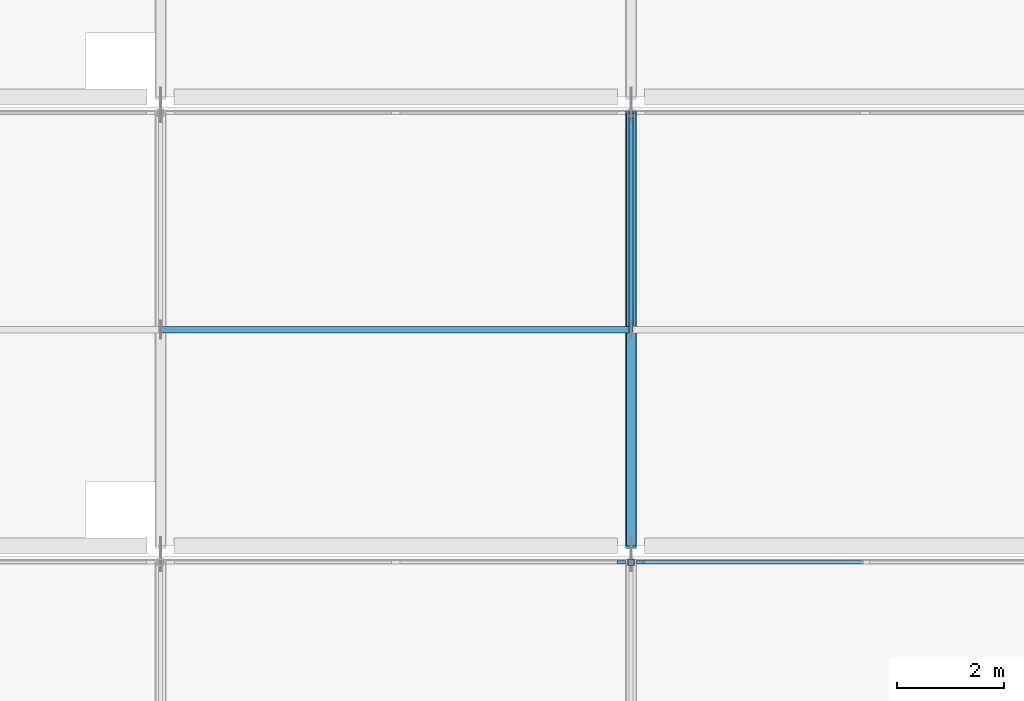
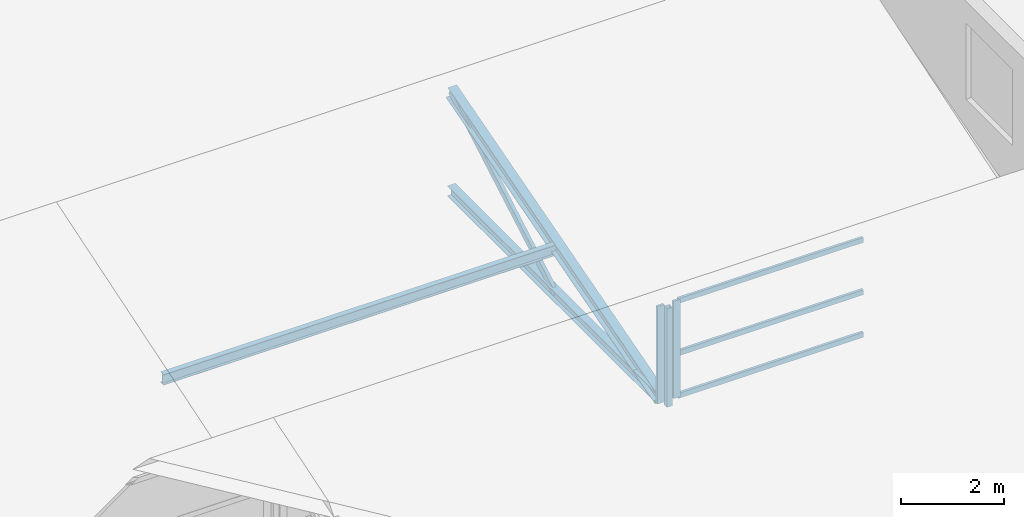
# One storey, part 14 of 40: 10 members, 2 elements without a shape of their own.
"""IFC4 building model written with IfcOpenShell, lengths in metres."""

from ifc_helpers import new_model, si_unit, direction, frame, origin, origin_2d, place, context, subcontext, project, spatial, rectangle, hollow_rectangle, i_section, extrude, material, material_profile, profile_set, type_object, element, aggregate, save


model = new_model("IFC4")

# Units and contexts
model_context = context("Model", 3, precision=1e-05, world=origin(), true_north=direction((0.0, 1.0)))
body_context = subcontext(model_context, "Body", "Model", "MODEL_VIEW")
ifc_project = project(units=[si_unit("LENGTHUNIT", "METRE"), si_unit("AREAUNIT", "SQUARE_METRE"), si_unit("VOLUMEUNIT", "CUBIC_METRE"), si_unit("PLANEANGLEUNIT", "RADIAN"), si_unit("MASSUNIT", "GRAM", prefix="KILO")], contexts=[model_context])

# Site, building, storey
site_placement = place(None, origin())
site = spatial("IfcSite", under=ifc_project, at=site_placement, CompositionType="ELEMENT")
building_placement = place(site_placement, origin())
building = spatial("IfcBuilding", under=site, at=building_placement, Name="Brinegate Botanical Conservatory", CompositionType="ELEMENT")
storey_placement = place(building_placement, frame((0.0, 0.0, 19.199951171875)))
storey = spatial("IfcBuildingStorey", under=building, at=storey_placement, Name="L05", CompositionType="ELEMENT", Elevation=19.199951171875)

# Curtain wall, member
ifc_material_1 = material(Name="Thermally broken anodised aluminium AW-6063-T6", Category="aluminium")
curtain_wall_type = type_object("IfcCurtainWallType", Name="CW_CW-SAW", PredefinedType="USERDEFINED", material=ifc_material_1)
curtain_wall_1_placement = place(storey_placement, origin())
curtain_wall_1 = element("IfcCurtainWall", 1, at=curtain_wall_1_placement, inside=storey, type_object=curtain_wall_type, Name="Sawtooth north-light clerestory B1.7", ObjectType="FACTORY CURTAIN WALL", PredefinedType="USERDEFINED")
ifc_material_profile_1 = material_profile(ifc_material_1, rectangle(XDim=0.06005859375, YDim=0.159912109375, at=origin_2d()), Name="ALUM MULLION 60x160")
ifc_profile_set_1 = profile_set([ifc_material_profile_1], Name="Thermally broken anodised aluminium AW-6063-T6")
member_type_1 = type_object("IfcMemberType", Name="Member_ML-01", PredefinedType="MULLION", material=ifc_profile_set_1)
member_1_placement = place(storey_placement, frame((112.219970703125, 94.89990234375, 0.150146484375), z_axis=(0.0, 0.0, 1.0), x_axis=(0.0, 1.0, 0.0)))
member_1 = element("IfcMember", 2, at=member_1_placement, type_object=member_type_1, Name="CW-SAW mullion 3", PredefinedType="MULLION", context=body_context, shape_type="SweptSolid", body=[
    extrude(rectangle(XDim=0.06005859375, YDim=0.159912109375, at=origin_2d()), origin(), (0.0, 0.0, 1.0), 2.2998046875),
])
aggregate(curtain_wall_1, [member_1])

curtain_wall_2_placement = place(storey_placement, origin())
curtain_wall_2 = element("IfcCurtainWall", 3, at=curtain_wall_2_placement, inside=storey, type_object=curtain_wall_type, Name="Sawtooth north-light clerestory B1.8", ObjectType="FACTORY CURTAIN WALL", PredefinedType="USERDEFINED")
member_2_placement = place(storey_placement, frame((112.580078125, 94.89990234375, 0.150146484375), z_axis=(0.0, 0.0, 1.0), x_axis=(0.0, 1.0, 0.0)))
member_2 = element("IfcMember", 4, at=member_2_placement, type_object=member_type_1, Name="CW-SAW mullion 1", PredefinedType="MULLION", context=body_context, shape_type="SweptSolid", body=[
    extrude(rectangle(XDim=0.06005859375, YDim=0.159912109375, at=origin_2d()), origin(), (0.0, 0.0, 1.0), 2.2998046875),
])

# Members
ifc_material_2 = material(Name="Structural steel Q355B / S355", Category="steel")
ifc_material_profile_2 = material_profile(ifc_material_2, hollow_rectangle(XDim=0.080078125, YDim=0.159912109375, WallThickness=0.006103515625, at=origin_2d()), Name="RHS 160x80x6")
ifc_profile_set_2 = profile_set([ifc_material_profile_2], Name="Structural steel Q355B / S355")
member_type_2 = type_object("IfcMemberType", Name="Member_SB-01", PredefinedType="BRACE", material=ifc_profile_set_2)
member_3_placement = place(storey_placement, frame((112.39990234375, 99.25, 0.02001953125), z_axis=(0.0, 0.866786044896, 0.49868021053), x_axis=(-1.0, 0.0, 0.0)))
element("IfcMember", 5, at=member_3_placement, inside=storey, type_object=member_type_2, Name="Sawtooth web diagonal SB-01 B2.T8", PredefinedType="BRACE", context=body_context, shape_type="SweptSolid", body=[
    extrude(hollow_rectangle(XDim=0.080078125, YDim=0.159912109375, WallThickness=0.006103515625, at=origin_2d()), origin(), (0.0, 0.0, 1.0), 4.672607421875),
])
ifc_material_profile_3 = material_profile(ifc_material_2, i_section(OverallWidth=0.199951171875, OverallDepth=0.2939453125, WebThickness=0.008056640625, FlangeThickness=0.011962890625, at=origin_2d()), Name="HM 294x200x8x12")
ifc_profile_set_3 = profile_set([ifc_material_profile_3], Name="Structural steel Q355B / S355")
member_type_3 = type_object("IfcMemberType", Name="Member_SC-01", PredefinedType="CHORD", material=ifc_profile_set_3)
member_4_placement = place(storey_placement, frame((112.39990234375, 95.199951171875, 0.02001953125), z_axis=(0.0, 0.961028334039, 0.276449889085), x_axis=(-1.0, 0.0, 0.0)))
element("IfcMember", 6, at=member_4_placement, inside=storey, type_object=member_type_3, Name="Sawtooth rafter chord SC-01 B2.T8", PredefinedType="CHORD", context=body_context, shape_type="SweptSolid", body=[
    extrude(i_section(OverallWidth=0.199951171875, OverallDepth=0.2939453125, WebThickness=0.008056640625, FlangeThickness=0.011962890625, at=origin_2d()), origin(), (0.0, 0.0, 1.0), 8.428466796875),
])
ifc_material_profile_4 = material_profile(ifc_material_2, i_section(OverallWidth=0.175048828125, OverallDepth=0.243896484375, WebThickness=0.007080078125, FlangeThickness=0.010986328125, at=origin_2d()), Name="HM 244x175x7x11")
ifc_profile_set_4 = profile_set([ifc_material_profile_4], Name="Structural steel Q355B / S355")
member_type_4 = type_object("IfcMemberType", Name="Member_SC-02", PredefinedType="CHORD", material=ifc_profile_set_4)
member_5_placement = place(storey_placement, frame((112.39990234375, 95.199951171875, 0.02001953125), z_axis=(0.0, 1.0, 0.0), x_axis=(-1.0, 0.0, 0.0)))
element("IfcMember", 7, at=member_5_placement, inside=storey, type_object=member_type_4, Name="Sawtooth bottom tie SC-02 B2.T8", PredefinedType="CHORD", context=body_context, shape_type="SweptSolid", body=[
    extrude(i_section(OverallWidth=0.175048828125, OverallDepth=0.243896484375, WebThickness=0.007080078125, FlangeThickness=0.010986328125, at=origin_2d()), origin(), (0.0, 0.0, 1.0), 8.10009765625),
])
ifc_material_profile_5 = material_profile(ifc_material_2, i_section(OverallWidth=0.125, OverallDepth=0.25, WebThickness=0.006103515625, FlangeThickness=0.009033203125, at=origin_2d()), Name="HN 250x125x6x9")
ifc_profile_set_5 = profile_set([ifc_material_profile_5], Name="Structural steel Q355B / S355")
member_type_5 = type_object("IfcMemberType", Name="Member_SPU-01", PredefinedType="PURLIN", material=ifc_profile_set_5)
member_6_placement = place(storey_placement, frame((103.60009765625, 99.25, 1.094970703125), z_axis=(1.0, 0.0, 0.0), x_axis=(0.0, 1.0, 0.0)))
element("IfcMember", 8, at=member_6_placement, inside=storey, type_object=member_type_5, Name="Sawtooth roof purlin SPU-01 B2.7", PredefinedType="PURLIN", context=body_context, shape_type="SweptSolid", body=[
    extrude(i_section(OverallWidth=0.125, OverallDepth=0.25, WebThickness=0.006103515625, FlangeThickness=0.009033203125, at=origin_2d()), origin(), (0.0, 0.0, 1.0), 8.7998046875),
])
ifc_material_profile_6 = material_profile(ifc_material_2, hollow_rectangle(XDim=0.1201171875, YDim=0.1201171875, WallThickness=0.006103515625, at=origin_2d()), Name="SHS 120x120x6")
ifc_profile_set_6 = profile_set([ifc_material_profile_6], Name="Structural steel Q355B / S355")
member_type_6 = type_object("IfcMemberType", Name="Member_SS-01", PredefinedType="STRUT", material=ifc_profile_set_6)
member_7_placement = place(storey_placement, frame((112.39990234375, 94.89990234375, 0.02001953125), z_axis=(0.0, 0.0, 1.0), x_axis=(1.0, 0.0, 0.0)))
element("IfcMember", 9, at=member_7_placement, inside=storey, type_object=member_type_6, Name="Sawtooth north clerestory post SS-01 B1.T8", PredefinedType="STRUT", context=body_context, shape_type="SweptSolid", body=[
    extrude(hollow_rectangle(XDim=0.1201171875, YDim=0.1201171875, WallThickness=0.006103515625, at=origin_2d()), origin(), (0.0, 0.0, 1.0), 2.330078125),
])

# Member
ifc_material_profile_7 = material_profile(ifc_material_1, rectangle(XDim=0.06005859375, YDim=0.1201171875, at=origin_2d()), Name="ALUM TRANSOM 60x120")
ifc_profile_set_7 = profile_set([ifc_material_profile_7], Name="Thermally broken anodised aluminium AW-6063-T6")
member_type_7 = type_object("IfcMemberType", Name="Member_TR-01", PredefinedType="USERDEFINED", material=ifc_profile_set_7)
member_8_placement = place(storey_placement, frame((112.610107421875, 94.89990234375, 0.179931640625), z_axis=(1.0, 0.0, 0.0), x_axis=(0.0, 1.0, 0.0)))
member_8 = element("IfcMember", 10, at=member_8_placement, type_object=member_type_7, Name="CW-SAW transom 1.1", ObjectType="TRANSOM", PredefinedType="USERDEFINED", context=body_context, shape_type="SweptSolid", body=[
    extrude(rectangle(XDim=0.06005859375, YDim=0.1201171875, at=origin_2d()), origin(), (0.0, 0.0, 1.0), 4.135009765625),
])

member_9_placement = place(storey_placement, frame((112.610107421875, 94.89990234375, 1.18505859375), z_axis=(1.0, 0.0, 0.0), x_axis=(0.0, 1.0, 0.0)))
member_9 = element("IfcMember", 11, at=member_9_placement, type_object=member_type_7, Name="CW-SAW transom 1.2", ObjectType="TRANSOM", PredefinedType="USERDEFINED", context=body_context, shape_type="SweptSolid", body=[
    extrude(rectangle(XDim=0.06005859375, YDim=0.1201171875, at=origin_2d()), origin(), (0.0, 0.0, 1.0), 4.135009765625),
])

member_10_placement = place(storey_placement, frame((112.610107421875, 94.89990234375, 2.420166015625), z_axis=(1.0, 0.0, 0.0), x_axis=(0.0, 1.0, 0.0)))
member_10 = element("IfcMember", 12, at=member_10_placement, type_object=member_type_7, Name="CW-SAW transom 1.3", ObjectType="TRANSOM", PredefinedType="USERDEFINED", context=body_context, shape_type="SweptSolid", body=[
    extrude(rectangle(XDim=0.06005859375, YDim=0.1201171875, at=origin_2d()), origin(), (0.0, 0.0, 1.0), 4.135009765625),
])

aggregate(curtain_wall_2, [member_2, member_8, member_9, member_10])

save(model, "model.ifc")
